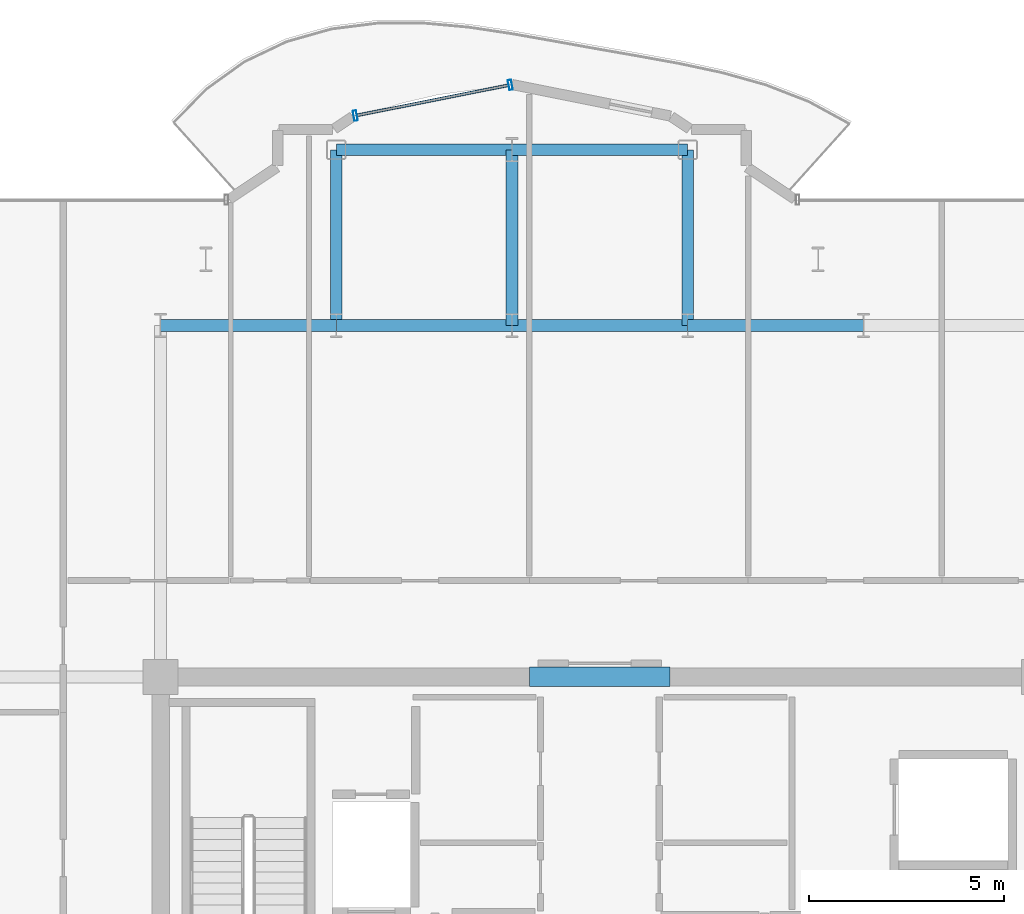
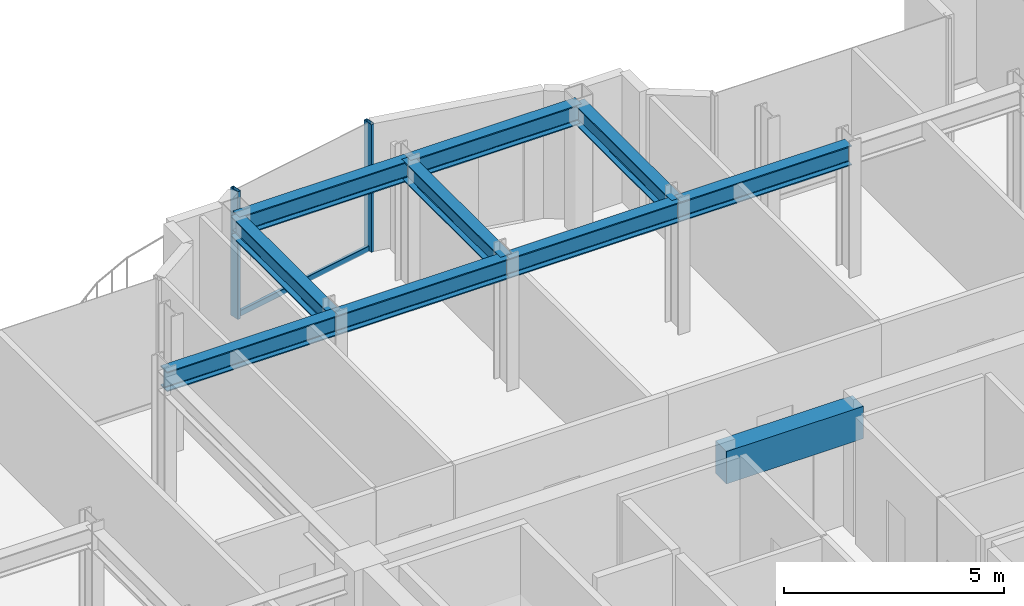
# One storey, part 8 of 16: 10 beams, 3 members, 1 element without a shape of its own.
"""IFC4 building model written with IfcOpenShell, lengths in metres."""

import ifcopenshell
import ifcopenshell.guid

model = None  # the IFC model being written
_history = None  # IfcOwnerHistory: only IFC2X3 demands one
_inside = {}  # id of a spatial element -> (the spatial element, [elements in it])
_under = {}  # id of a project, library or spatial element -> (it, [spatial elements below it])
_declared = {}  # id of a project -> (the project, [libraries it declares])
_typed = {}  # id of a type object -> (the type object, [elements of that type])
_made_of = {}  # id of a material, layer set ... -> (it, [elements and type objects made of it])


def new_model(schema):
    """Start an empty IFC model of exactly this schema.

    Asked for "IFC4X3", IfcOpenShell would pick the latest addendum, in which some entities
    have other attributes; the version numbers below select the first issue.
    IFC2X3 requires an IfcOwnerHistory on every rooted entity: one is made here for all.
    """
    global model, _history
    if schema == "IFC4X3":
        model = ifcopenshell.file(schema_version=(4, 3, 0, 0))
    else:
        model = ifcopenshell.file(schema=schema)
    _inside.clear()
    _under.clear()
    _declared.clear()
    _typed.clear()
    _made_of.clear()
    _history = None
    if model.schema == "IFC2X3":
        org = make("IfcOrganization", Name="unknown")
        user = make(
            "IfcPersonAndOrganization",
            ThePerson=make("IfcPerson", FamilyName="unknown"),
            TheOrganization=org,
        )
        app = make(
            "IfcApplication",
            ApplicationDeveloper=org,
            Version="unknown",
            ApplicationFullName="unknown",
            ApplicationIdentifier="unknown",
        )
        _history = make(
            "IfcOwnerHistory",
            OwningUser=user,
            OwningApplication=app,
            ChangeAction="ADDED",
            CreationDate=0,
        )
    return model


def make(cls, **values):
    """One entity of the class cls with the attributes given. An attribute that is None is left unset."""
    return model.create_entity(
        cls, **{name: value for name, value in values.items() if value is not None}
    )


def rooted(cls, **values):
    """An entity with a GlobalId (a new one), such as an element, a storey or a relation."""
    return make(cls, GlobalId=ifcopenshell.guid.new(), OwnerHistory=_history, **values)


def si_unit(unit_type, name, prefix=None):
    """IfcSIUnit, for example si_unit("LENGTHUNIT", "METRE", prefix="MILLI")."""
    return make("IfcSIUnit", UnitType=unit_type, Prefix=prefix, Name=name)


def assignment(units):
    """IfcUnitAssignment: the units of a project."""
    return None if units is None else make("IfcUnitAssignment", Units=units)


def point(xyz):
    """IfcCartesianPoint."""
    return None if xyz is None else make("IfcCartesianPoint", Coordinates=xyz)


def direction(xyz):
    """IfcDirection."""
    return None if xyz is None else make("IfcDirection", DirectionRatios=xyz)


def frame(location, z_axis=None, x_axis=None):
    """IfcAxis2Placement3D, a coordinate frame: its origin and axes. An axis left out is left unset."""
    return make(
        "IfcAxis2Placement3D",
        Location=point(location),
        Axis=direction(z_axis),
        RefDirection=direction(x_axis),
    )


def frame_2d(location, x_axis=None):
    """IfcAxis2Placement2D, a coordinate frame in the plane: its origin and x axis."""
    return make(
        "IfcAxis2Placement2D", Location=point(location), RefDirection=direction(x_axis)
    )


def origin():
    """The frame at (0, 0, 0) with its axes left unset."""
    return frame((0.0, 0.0, 0.0))


def origin_2d():
    """The frame at (0, 0) in the plane with its x axis left unset."""
    return frame_2d((0.0, 0.0))


def place(relative_to, where):
    """IfcLocalPlacement: puts the frame where relative to a parent placement (None: the world)."""
    return make(
        "IfcLocalPlacement", PlacementRelTo=relative_to, RelativePlacement=where
    )


def context(
    kind, dimensions, precision=None, world=None, true_north=None, identifier=None
):
    """IfcGeometricRepresentationContext, for example the 3D "Model" context."""
    return make(
        "IfcGeometricRepresentationContext",
        ContextIdentifier=identifier,
        ContextType=kind,
        CoordinateSpaceDimension=dimensions,
        Precision=precision,
        WorldCoordinateSystem=world,
        TrueNorth=true_north,
    )


def subcontext(parent, identifier, kind, view, scale=None):
    """IfcGeometricRepresentationSubContext, for example "Body" below "Model"."""
    return make(
        "IfcGeometricRepresentationSubContext",
        ContextIdentifier=identifier,
        ContextType=kind,
        ParentContext=parent,
        TargetScale=scale,
        TargetView=view,
    )


def project(units=None, contexts=None):
    """IfcProject with its units and contexts."""
    return rooted(
        "IfcProject",
        Name="project",
        RepresentationContexts=contexts,
        UnitsInContext=assignment(units),
    )


def spatial(cls, under=None, at=None, **own):
    """A site, building, storey or space (cls), placed at a placement, below another one or the project."""
    s = rooted(cls, ObjectPlacement=at, **own)
    if under is not None:
        _under.setdefault(under.id(), (under, []))[1].append(s)
    return s


def profile(cls, at=None, kind="AREA", **sizes):
    """A parametric profile (cls). Its sizes go by their IFC names, for example OverallWidth=200.0."""
    return make(cls, ProfileType=kind, Position=at, **sizes)


def rectangle(**sizes):
    """IfcRectangleProfileDef."""
    return profile("IfcRectangleProfileDef", **sizes)


def hollow_rectangle(**sizes):
    """IfcRectangleHollowProfileDef."""
    return profile("IfcRectangleHollowProfileDef", **sizes)


def i_section(**sizes):
    """IfcIShapeProfileDef."""
    return profile("IfcIShapeProfileDef", **sizes)


def extrude(swept, where, along, depth):
    """IfcExtrudedAreaSolid: the profile swept, set in the frame where, extruded along a direction by depth."""
    return make(
        "IfcExtrudedAreaSolid",
        SweptArea=swept,
        Position=where,
        ExtrudedDirection=direction(along),
        Depth=depth,
    )


def shape(context_of_items, identifier, shape_type, items):
    """IfcShapeRepresentation: the items that make up one representation, for example the "Body"."""
    return make(
        "IfcShapeRepresentation",
        ContextOfItems=context_of_items,
        RepresentationIdentifier=identifier,
        RepresentationType=shape_type,
        Items=items,
    )


def source(mapping_origin, context_of_items, identifier, shape_type, items):
    """IfcRepresentationMap: a shape defined once, which mapped items show again and again."""
    return make(
        "IfcRepresentationMap",
        MappingOrigin=mapping_origin,
        MappedRepresentation=shape(context_of_items, identifier, shape_type, items),
    )


def transform(
    local_origin,
    x_axis=None,
    y_axis=None,
    z_axis=None,
    scale=None,
    scale2=None,
    scale3=None,
    uniform=True,
):
    """IfcCartesianTransformationOperator3D, or its non-uniform kind. x_axis, y_axis, z_axis: its Axis1, 2, 3."""
    if uniform:
        return make(
            "IfcCartesianTransformationOperator3D",
            Axis1=direction(x_axis),
            Axis2=direction(y_axis),
            LocalOrigin=point(local_origin),
            Scale=scale,
            Axis3=direction(z_axis),
        )
    return make(
        "IfcCartesianTransformationOperator3DnonUniform",
        Axis1=direction(x_axis),
        Axis2=direction(y_axis),
        LocalOrigin=point(local_origin),
        Scale=scale,
        Axis3=direction(z_axis),
        Scale2=scale2,
        Scale3=scale3,
    )


def mapped(mapping_source, mapping_target):
    """IfcMappedItem: shows the shape of a source again, moved by a transform."""
    return make(
        "IfcMappedItem", MappingSource=mapping_source, MappingTarget=mapping_target
    )


def material(Name=None, Category=None):
    """IfcMaterial."""
    return make("IfcMaterial", Name=Name, Category=Category)


def layer(
    of_material, thickness, ventilated=None, Name=None, Category=None, Priority=None
):
    """IfcMaterialLayer: one layer of a wall or slab, of a material (None: an air gap)."""
    return make(
        "IfcMaterialLayer",
        Material=of_material,
        LayerThickness=thickness,
        IsVentilated=ventilated,
        Name=Name,
        Category=Category,
        Priority=Priority,
    )


def layer_set(layers, Name=None):
    """IfcMaterialLayerSet."""
    return make("IfcMaterialLayerSet", MaterialLayers=layers, LayerSetName=Name)


def material_profile(
    of_material, cross_section, Name=None, Category=None, Priority=None
):
    """IfcMaterialProfile: a cross section and its material."""
    return make(
        "IfcMaterialProfile",
        Name=Name,
        Material=of_material,
        Profile=cross_section,
        Priority=Priority,
        Category=Category,
    )


def profile_set(profiles, Name=None, composite=None):
    """IfcMaterialProfileSet."""
    return make(
        "IfcMaterialProfileSet",
        Name=Name,
        MaterialProfiles=profiles,
        CompositeProfile=composite,
    )


def made_of(thing, what):
    """Note that an element or type object is made of a material, layer set ...; save() writes the relation."""
    if what is not None:
        _made_of.setdefault(what.id(), (what, []))[1].append(thing)
    return thing


def type_object(cls, material=None, **own):
    """A type object (cls), such as IfcWallType, which elements share."""
    return made_of(rooted(cls, **own), material)


def element(
    cls,
    number,
    at=None,
    inside=None,
    cuts=None,
    type_object=None,
    material=None,
    context=None,
    identifier="Body",
    shape_type=None,
    held_by="IfcProductDefinitionShape",
    body=None,
    shapes=None,
    **own,
):
    """One element of the class cls, such as IfcWall. Its Tag is "e" and its number.

    at: its placement. inside: the storey or other place that contains it. cuts: it is an
    opening in that element (IfcRelVoidsElement). A single representation is given by context,
    identifier, shape_type and body (its items); several are given by shapes. held_by: the class
    of the entity that holds the representations. save() writes the other relations.
    """
    e = rooted(cls, Tag="e%d" % number, ObjectPlacement=at, **own)
    if body is not None:
        shapes = [shape(context, identifier, shape_type, body)]
    if shapes is not None:
        e.Representation = make(held_by, Representations=shapes)
    if inside is not None:
        _inside.setdefault(inside.id(), (inside, []))[1].append(e)
    if cuts is not None:
        rooted(
            "IfcRelVoidsElement", RelatingBuildingElement=cuts, RelatedOpeningElement=e
        )
    if type_object is not None:
        _typed.setdefault(type_object.id(), (type_object, []))[1].append(e)
    return made_of(e, material)


def aggregate(whole, parts):
    """IfcRelAggregates: a whole, such as a stair, and the parts it consists of."""
    return rooted("IfcRelAggregates", RelatingObject=whole, RelatedObjects=parts)


def save(model, path):
    """Write the relations noted so far, then the file.

    IfcRelAggregates (storeys below a building ...), IfcRelContainedInSpatialStructure (elements
    in a storey), IfcRelDefinesByType, IfcRelAssociatesMaterial and IfcRelDeclares: one each for
    every whole, place, type object, material and project.
    """
    for whole, parts in _under.values():
        aggregate(whole, parts)
    for where, things in _inside.values():
        rooted(
            "IfcRelContainedInSpatialStructure",
            RelatedElements=things,
            RelatingStructure=where,
        )
    for kind, things in _typed.values():
        rooted("IfcRelDefinesByType", RelatedObjects=things, RelatingType=kind)
    for what, things in _made_of.values():
        rooted("IfcRelAssociatesMaterial", RelatedObjects=things, RelatingMaterial=what)
    for by, libraries in _declared.values():
        rooted("IfcRelDeclares", RelatingContext=by, RelatedDefinitions=libraries)
    model.write(path)


model = new_model("IFC4")

# Units and contexts
model_context = context("Model", 3, precision=1e-05, world=origin(), true_north=direction((0.0, 1.0)))
body_context = subcontext(model_context, "Body", "Model", "MODEL_VIEW")
ifc_project = project(units=[si_unit("LENGTHUNIT", "METRE"), si_unit("AREAUNIT", "SQUARE_METRE"), si_unit("VOLUMEUNIT", "CUBIC_METRE"), si_unit("PLANEANGLEUNIT", "RADIAN"), si_unit("MASSUNIT", "GRAM", prefix="KILO")], contexts=[model_context])

# Site, building, storey
site_placement = place(None, origin())
site = spatial("IfcSite", under=ifc_project, at=site_placement, CompositionType="ELEMENT")
building_placement = place(site_placement, origin())
building = spatial("IfcBuilding", under=site, at=building_placement, Name="Nefas-Gora Pilgrimage Tower", CompositionType="ELEMENT")
storey_placement = place(building_placement, frame((0.0, 0.0, 310.199951171875)))
storey = spatial("IfcBuildingStorey", under=building, at=storey_placement, Name="L78", CompositionType="ELEMENT", Elevation=310.199951171875)

# Beams
ifc_material_1 = material(Name="Concrete C50/60", Category="concrete")
ifc_material_profile_1 = material_profile(ifc_material_1, rectangle(XDim=0.5, YDim=0.89990234375, at=origin_2d()), Name="RC 500x900")
ifc_profile_set_1 = profile_set([ifc_material_profile_1], Name="Concrete C50/60")
beam_type_1 = type_object("IfcBeamType", Name="BM-LIN-RC900", PredefinedType="LINTEL", material=ifc_profile_set_1)
shared_shape_1 = source(origin(), body_context, "Body", "SweptSolid", [
    extrude(rectangle(XDim=0.5, YDim=0.89990234375, at=origin_2d()), origin(), (0.0, 0.0, 1.0), 3.60009765625),
])
beam_placement = place(storey_placement, frame((-1.800048828125, 9.0, 3.10009765625), z_axis=(1.0, 0.0, 0.0), x_axis=(0.0, 1.0, 0.0)))
element("IfcBeam", 1, at=beam_placement, inside=storey, type_object=beam_type_1, Name="L78 Core Coupling Lintel Beam N", PredefinedType="LINTEL", context=body_context, shape_type="MappedRepresentation", body=[
    mapped(shared_shape_1, transform((0.0, 0.0, 0.0), x_axis=(1.0, 0.0, 0.0), y_axis=(0.0, 1.0, 0.0), z_axis=(0.0, 0.0, 1.0), scale=1.0)),
])
ifc_material_2 = material(Name="Steel S355", Category="steel")
ifc_material_profile_2 = material_profile(ifc_material_2, i_section(OverallWidth=0.300048828125, OverallDepth=0.550048828125, WebThickness=0.014892578125, FlangeThickness=0.029052734375, FilletRadius=0.027099609375, at=origin_2d()), Name="HEB 550")
ifc_profile_set_2 = profile_set([ifc_material_profile_2], Name="Steel S355")
beam_type_2 = type_object("IfcBeamType", Name="BM-GIR-HEB550", PredefinedType="BEAM", material=ifc_profile_set_2)
shared_shape_2 = source(origin(), body_context, "Body", "SweptSolid", [
    extrude(i_section(OverallWidth=0.300048828125, OverallDepth=0.550048828125, WebThickness=0.014892578125, FlangeThickness=0.029052734375, FilletRadius=0.027099609375, at=origin_2d()), origin(), (0.0, 0.0, 1.0), 4.5),
])
for number, where, z_axis, x_axis, name in (
    (2, (-11.25, 18.0, 3.275146484375), (1.0, 0.0, 0.0), (0.0, 1.0, 0.0), "L78 G-05 beam"),
    (3, (-6.75, 18.0, 3.275146484375), (0.0, 1.0, 0.0), (-1.0, 0.0, 0.0), "L78 G-05 beam"),
    (4, (-6.75, 18.0, 3.275146484375), (1.0, 0.0, 0.0), (0.0, 1.0, 0.0), "L78 G-05 beam"),
    (5, (-6.75, 22.5, 3.275146484375), (1.0, 0.0, 0.0), (0.0, 1.0, 0.0), "L78 G-05 beam"),
    (6, (-2.25, 18.0, 3.275146484375), (0.0, 1.0, 0.0), (-1.0, 0.0, 0.0), "L78 G-05 beam"),
    (7, (-2.25, 18.0, 3.275146484375), (1.0, 0.0, 0.0), (0.0, 1.0, 0.0), "L78 G-05 beam"),
    (8, (-2.25, 22.5, 3.275146484375), (1.0, 0.0, 0.0), (0.0, 1.0, 0.0), "L78 G-05 beam"),
    (9, (2.25, 18.0, 3.275146484375), (0.0, 1.0, 0.0), (-1.0, 0.0, 0.0), "L78 G-05 beam"),
    (10, (2.25, 18.0, 3.275146484375), (1.0, 0.0, 0.0), (0.0, 1.0, 0.0), "L78 G-05 beam"),
):
    element("IfcBeam", number, at=place(storey_placement, frame(where, z_axis=z_axis, x_axis=x_axis)), inside=storey, type_object=beam_type_2, Name=name, PredefinedType="BEAM", context=body_context, shape_type="MappedRepresentation", body=[
        mapped(shared_shape_2, transform((0.0, 0.0, 0.0), x_axis=(1.0, 0.0, 0.0), y_axis=(0.0, 1.0, 0.0), z_axis=(0.0, 0.0, 1.0), scale=1.0)),
    ])

# Curtain wall, members
ifc_material_3 = material(Name="Dark ceramic-fritted solar-control aluminium-glass curtain wall", Category="aluminium")
ifc_layer = layer(ifc_material_3, 0.219970703125)
ifc_layer_set = layer_set([ifc_layer], Name="Dark ceramic-fritted solar-control aluminium-glass curtain wall")
curtain_wall_type = type_object("IfcCurtainWallType", Name="CW-SYS-5", PredefinedType="NOTDEFINED", material=ifc_layer_set)
curtain_wall_placement = place(storey_placement, origin())
curtain_wall = element("IfcCurtainWall", 11, at=curtain_wall_placement, inside=storey, type_object=curtain_wall_type, Name="L78 Unitised Curtain Wall CW5", PredefinedType="NOTDEFINED")
ifc_material_4 = material(Name="Anodised architectural aluminium", Category="aluminium")
ifc_material_profile_3 = material_profile(ifc_material_4, hollow_rectangle(XDim=0.090087890625, YDim=0.260009765625, WallThickness=0.006103515625, InnerFilletRadius=0.006103515625, OuterFilletRadius=0.011962890625, at=origin_2d()), Name="ALU MULLION 90x260")
ifc_profile_set_3 = profile_set([ifc_material_profile_3], Name="Anodised architectural aluminium")
member_type_1 = type_object("IfcMemberType", Name="CWM-MUL-5", PredefinedType="MULLION", material=ifc_profile_set_3)
shared_shape_3 = source(origin(), body_context, "Body", "SweptSolid", [
    extrude(hollow_rectangle(XDim=0.090087890625, YDim=0.260009765625, WallThickness=0.006103515625, InnerFilletRadius=0.006103515625, OuterFilletRadius=0.011962890625, at=origin_2d()), origin(), (0.0, 0.0, 1.0), 3.550048828125),
])
member_1_placement = place(storey_placement, frame((-2.294189453125, 24.16357421875, 0.0), z_axis=(0.0, 0.0, 1.0), x_axis=(-0.980782896852, -0.195102304554, 0.0)))
member_1 = element("IfcMember", 12, at=member_1_placement, type_object=member_type_1, Name="CW5 Mullion 1", PredefinedType="MULLION", context=body_context, shape_type="MappedRepresentation", body=[
    mapped(shared_shape_3, transform((0.0, 0.0, 0.0), x_axis=(1.0, 0.0, 0.0), y_axis=(0.0, 1.0, 0.0), z_axis=(0.0, 0.0, 1.0), scale=1.0)),
])
member_2_placement = place(storey_placement, frame((-6.26318359375, 23.3740234375, 0.0), z_axis=(0.0, 0.0, 1.0), x_axis=(-0.980782896852, -0.195102304554, 0.0)))
member_2 = element("IfcMember", 13, at=member_2_placement, type_object=member_type_1, Name="CW5 Mullion 2", PredefinedType="MULLION", context=body_context, shape_type="MappedRepresentation", body=[
    mapped(shared_shape_3, transform((0.0, 0.0, 0.0), x_axis=(1.0, 0.0, 0.0), y_axis=(0.0, 1.0, 0.0), z_axis=(0.0, 0.0, 1.0), scale=1.0)),
])
ifc_material_profile_4 = material_profile(ifc_material_4, hollow_rectangle(XDim=0.080078125, YDim=0.159912109375, WallThickness=0.00439453125, InnerFilletRadius=0.00439453125, OuterFilletRadius=0.009033203125, at=origin_2d()), Name="ALU TRANSOM 80x160")
ifc_profile_set_4 = profile_set([ifc_material_profile_4], Name="Anodised architectural aluminium")
member_type_2 = type_object("IfcMemberType", Name="CWM-TRN-5", PredefinedType="USERDEFINED", material=ifc_profile_set_4)
shared_shape_4 = source(origin(), body_context, "Body", "SweptSolid", [
    extrude(hollow_rectangle(XDim=0.080078125, YDim=0.159912109375, WallThickness=0.00439453125, InnerFilletRadius=0.00439453125, OuterFilletRadius=0.009033203125, at=origin_2d()), origin(), (0.0, 0.0, 1.0), 3.95654296875),
])
member_3_placement = place(storey_placement, frame((-2.33837890625, 24.15478515625, 0.050048828125), z_axis=(-0.980781880918, -0.195107411605, 0.0), x_axis=(0.195107411605, -0.980781880918, 0.0)))
member_3 = element("IfcMember", 14, at=member_3_placement, type_object=member_type_2, Name="CW5 Spandrel Transom", ObjectType="TRANSOM", PredefinedType="USERDEFINED", context=body_context, shape_type="MappedRepresentation", body=[
    mapped(shared_shape_4, transform((0.0, 0.0, 0.0), x_axis=(1.0, 0.0, 0.0), y_axis=(0.0, 1.0, 0.0), z_axis=(0.0, 0.0, 1.0), scale=1.0)),
])
aggregate(curtain_wall, [member_1, member_2, member_3])

save(model, "model.ifc")
